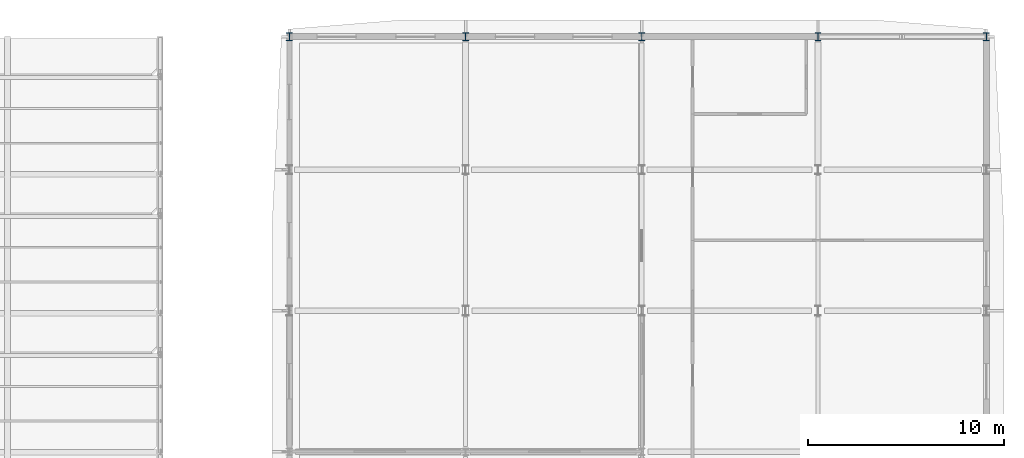
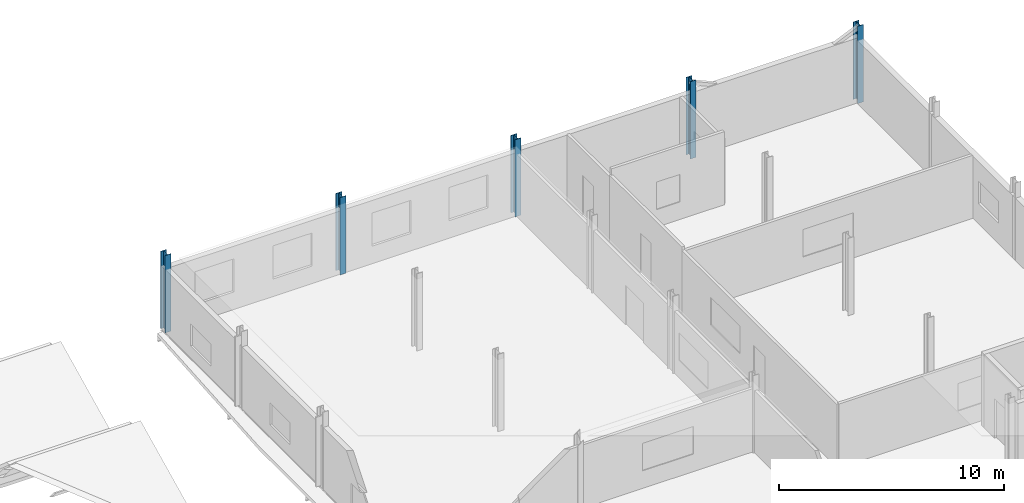
# One storey, part 24 of 138: 5 columns.
"""IFC4 building model written with IfcOpenShell, lengths in metres."""

from ifc_helpers import new_model, si_unit, direction, frame, origin, origin_2d, place, context, subcontext, project, spatial, i_section, extrude, material, material_profile, profile_set, type_object, element, save


model = new_model("IFC4")

# Units and contexts
model_context = context("Model", 3, precision=1e-05, world=origin(), true_north=direction((0.0, 1.0)))
body_context = subcontext(model_context, "Body", "Model", "MODEL_VIEW")
ifc_project = project(units=[si_unit("LENGTHUNIT", "METRE"), si_unit("AREAUNIT", "SQUARE_METRE"), si_unit("VOLUMEUNIT", "CUBIC_METRE"), si_unit("PLANEANGLEUNIT", "RADIAN"), si_unit("MASSUNIT", "GRAM", prefix="KILO")], contexts=[model_context])

# Site, building, storey
site_placement = place(None, origin())
site = spatial("IfcSite", under=ifc_project, at=site_placement, CompositionType="ELEMENT")
building_placement = place(site_placement, origin())
building = spatial("IfcBuilding", under=site, at=building_placement, Name="Vinh Khe Railworks Police Headquarters", CompositionType="ELEMENT")
storey_placement = place(building_placement, frame((0.0, 0.0, 9.0)))
storey = spatial("IfcBuildingStorey", under=building, at=storey_placement, Name="L02", CompositionType="ELEMENT", Elevation=9.0)

# Columns
ifc_material = material(Name="Steel S355JR", Category="steel")
ifc_material_profile = material_profile(ifc_material, i_section(OverallWidth=0.300048828125, OverallDepth=0.39990234375, WebThickness=0.013427734375, FlangeThickness=0.02392578125, FilletRadius=0.027099609375, at=origin_2d()), Name="HEB 400")
ifc_profile_set = profile_set([ifc_material_profile], Name="Steel S355JR")
column_type = type_object("IfcColumnType", Name="Steel Column HEB 400", PredefinedType="COLUMN", material=ifc_profile_set)
for number, where, z_axis, x_axis, name in (
    (1, (78.0, 166.39990234375, 0.0), (0.0, 0.0, 1.0), (1.0, 0.0, 0.0), "Column COL-L02-SC-08-1208"),
    (2, (87.0, 166.39990234375, 0.0), (0.0, 0.0, 1.0), (1.0, 0.0, 0.0), "Column COL-L02-SC-08-1269"),
    (3, (96.0, 166.39990234375, 0.0), (0.0, 0.0, 1.0), (1.0, 0.0, 0.0), "Column COL-L02-SC-08-1330"),
    (4, (105.0, 166.39990234375, 0.0), (0.0, 0.0, 1.0), (1.0, 0.0, 0.0), "Column COL-L02-SC-08-1391"),
    (5, (113.60009765625, 166.39990234375, 0.0), (0.0, 0.0, 1.0), (1.0, 0.0, 0.0), "Column COL-L02-SC-08-1452"),
):
    element("IfcColumn", number, at=place(storey_placement, frame(where, z_axis=z_axis, x_axis=x_axis)), inside=storey, type_object=column_type, Name=name, PredefinedType="COLUMN", context=body_context, shape_type="SweptSolid", body=[
        extrude(i_section(OverallWidth=0.300048828125, OverallDepth=0.39990234375, WebThickness=0.013427734375, FlangeThickness=0.02392578125, FilletRadius=0.027099609375, at=origin_2d()), origin(), (0.0, 0.0, 1.0), 4.199951171875),
    ])

save(model, "model.ifc")
